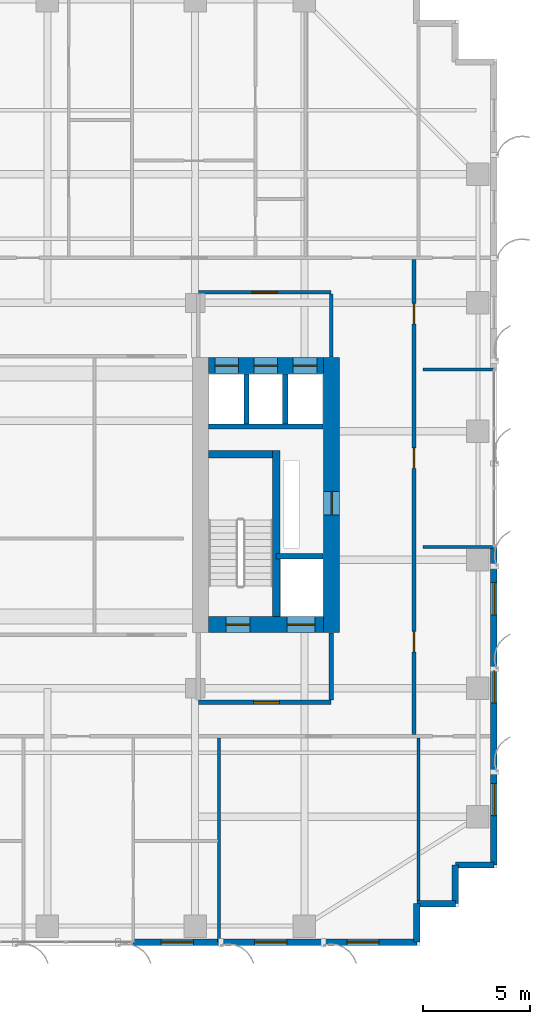
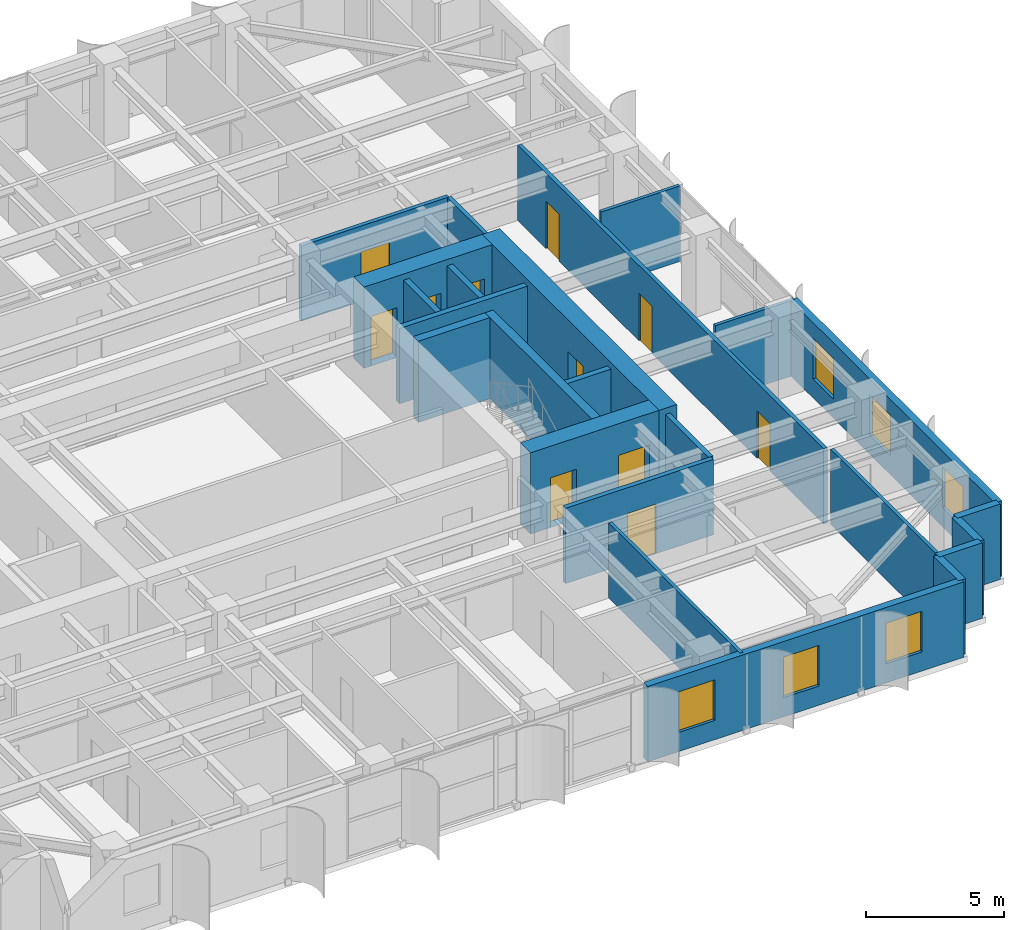
# One storey, part 14 of 19: 24 walls, 11 doors, 6 windows, 17 openings.
"""IFC4 building model written with IfcOpenShell, lengths in metres."""

from ifc_helpers import new_model, si_unit, direction, frame, frame_2d, origin, place, context, subcontext, project, spatial, rectangle, extrude, source, transform, mapped, material, layer, layer_set, type_object, element, fill, save


model = new_model("IFC4")

# Units and contexts
model_context = context("Model", 3, precision=1e-05, world=origin(), true_north=direction((0.0, 1.0)))
body_context = subcontext(model_context, "Body", "Model", "MODEL_VIEW")
ifc_project = project(units=[si_unit("LENGTHUNIT", "METRE"), si_unit("AREAUNIT", "SQUARE_METRE"), si_unit("VOLUMEUNIT", "CUBIC_METRE"), si_unit("PLANEANGLEUNIT", "RADIAN"), si_unit("MASSUNIT", "GRAM", prefix="KILO")], contexts=[model_context])

# Site, building, storey
site_placement = place(None, origin())
site = spatial("IfcSite", under=ifc_project, at=site_placement, CompositionType="ELEMENT")
building_placement = place(site_placement, origin())
building = spatial("IfcBuilding", under=site, at=building_placement, Name="Khoralis Quay Care Tower", CompositionType="ELEMENT")
storey_placement = place(building_placement, frame((0.0, 0.0, 90.89990234375)))
storey = spatial("IfcBuildingStorey", under=building, at=storey_placement, Name="L23", CompositionType="ELEMENT", Elevation=90.89990234375)

# Wall, opening, door
ifc_material_1 = material(Name="Gypsum plasterboard on acoustic metal stud")
ifc_layer_1 = layer(ifc_material_1, 0.199951171875)
ifc_layer_set_1 = layer_set([ifc_layer_1], Name="Gypsum plasterboard on acoustic metal stud")
wall_type_1 = type_object("IfcWallType", Name="WL-COMP-200", PredefinedType="PARTITIONING", material=ifc_layer_set_1)
wall_1_placement = place(storey_placement, frame((31.050048828125, 11.35009765625, 0.0), z_axis=(0.0, 0.0, 1.0), x_axis=(1.0, 0.0, 0.0)))
wall_1 = element("IfcWall", 1, at=wall_1_placement, inside=storey, type_object=wall_type_1, Name="L23 East Firefighting Lobby South Wall", PredefinedType="PARTITIONING", context=body_context, shape_type="SweptSolid", body=[
    extrude(rectangle(XDim=6.199951171875, YDim=0.199951171875, at=frame_2d((3.10009765625, 0.0))), origin(), (0.0, 0.0, 1.0), 3.340087890625),
])
opening_1_placement = place(wall_1_placement, frame((2.585693359375, 0.0, 0.0)))
opening_1 = element("IfcOpeningElement", 2, at=opening_1_placement, cuts=wall_1, Name="Opening FD1", PredefinedType="OPENING", context=body_context, shape_type="SweptSolid", body=[
    extrude(rectangle(XDim=1.199951171875, YDim=2.199951171875, at=frame_2d((0.60009765625, 1.10009765625))), frame((0.0, 0.10986328125, 0.0), z_axis=(0.0, -1.0, 0.0), x_axis=(1.0, 0.0, 0.0)), (0.0, 0.0, 1.0), 0.219970703125),
])
ifc_material_2 = material(Name="Fire-rated painted steel", Category="steel")
door_type_1 = type_object("IfcDoorType", Name="DR-FFL-1200X2200", OperationType="NOTDEFINED", PredefinedType="DOOR", material=ifc_material_2)
shared_shape_1 = source(origin(), body_context, "Body", "SweptSolid", [
    extrude(rectangle(XDim=1.199951171875, YDim=2.199951171875, at=frame_2d((0.60009765625, 1.10009765625))), frame((0.0, 0.02490234375, 0.0), z_axis=(0.0, -1.0, 0.0), x_axis=(1.0, 0.0, 0.0)), (0.0, 0.0, 1.0), 0.050048828125),
])
door_1_placement = place(opening_1_placement, origin())
door_1 = element("IfcDoor", 3, at=door_1_placement, inside=storey, type_object=door_type_1, Name="L23 East Firefighting Lobby Fire Door", OperationType="SINGLE_SWING_RIGHT", OverallHeight=2.199951171875, OverallWidth=1.199951171875, PredefinedType="DOOR", context=body_context, shape_type="MappedRepresentation", body=[
    mapped(shared_shape_1, transform((0.0, 0.0, 0.0), scale=1.0)),
])
fill(opening_1, door_1)

# Wall
wall_2_placement = place(storey_placement, frame((37.25, 11.445068359375, 0.0), z_axis=(0.0, 0.0, 1.0), x_axis=(0.0, 1.0, 0.0)))
element("IfcWall", 4, at=wall_2_placement, inside=storey, type_object=wall_type_1, Name="L23 East Firefighting Lobby East Wall", PredefinedType="PARTITIONING", context=body_context, shape_type="SweptSolid", body=[
    extrude(rectangle(XDim=3.135009765625, YDim=0.199951171875, at=frame_2d((1.5673828125, 0.0))), origin(), (0.0, 0.0, 1.0), 3.340087890625),
])

# Wall, opening, door
ifc_material_3 = material(Name="Concrete C80/95", Category="concrete")
ifc_layer_2 = layer(ifc_material_3, 0.75)
ifc_layer_set_2 = layer_set([ifc_layer_2], Name="Concrete C80/95")
wall_type_2 = type_object("IfcWallType", Name="WL-CORE-750", PredefinedType="SHEAR", material=ifc_layer_set_2)
wall_3_placement = place(storey_placement, frame((37.27490234375, 14.60009765625, 0.0), z_axis=(0.0, 0.0, 1.0), x_axis=(0.0, 1.0, 0.0)))
wall_3 = element("IfcWall", 5, at=wall_3_placement, inside=storey, type_object=wall_type_2, Name="L23 ECORE East Shear Wall", PredefinedType="SHEAR", context=body_context, shape_type="SweptSolid", body=[
    extrude(rectangle(XDim=12.849853515625, YDim=0.75, at=frame_2d((6.4248046875, 0.0))), origin(), (0.0, 0.0, 1.0), 3.60009765625),
])
opening_2_placement = place(wall_3_placement, frame((5.5, 0.0, 0.0)))
opening_2 = element("IfcOpeningElement", 6, at=opening_2_placement, cuts=wall_3, Name="Opening SD1", PredefinedType="OPENING", context=body_context, shape_type="SweptSolid", body=[
    extrude(rectangle(XDim=1.10009765625, YDim=2.199951171875, at=frame_2d((0.550048828125, 1.10009765625))), frame((0.0, 0.385009765625, 0.0), z_axis=(0.0, -1.0, 0.0), x_axis=(1.0, 0.0, 0.0)), (0.0, 0.0, 1.0), 0.77001953125),
])
door_type_2 = type_object("IfcDoorType", Name="DR-STAIR-1100X2200", OperationType="NOTDEFINED", PredefinedType="DOOR", material=ifc_material_2)
shared_shape_2 = source(origin(), body_context, "Body", "SweptSolid", [
    extrude(rectangle(XDim=1.10009765625, YDim=2.199951171875, at=frame_2d((0.550048828125, 1.10009765625))), frame((0.0, 0.02490234375, 0.0), z_axis=(0.0, -1.0, 0.0), x_axis=(1.0, 0.0, 0.0)), (0.0, 0.0, 1.0), 0.050048828125),
])
door_2_placement = place(opening_2_placement, frame((1.10009765625, 0.0, 0.0), z_axis=(0.0, 0.0, 1.0), x_axis=(-1.0, 0.0, 0.0)))
door_2 = element("IfcDoor", 7, at=door_2_placement, inside=storey, type_object=door_type_2, Name="L23 East MEP Riser Door", OperationType="SINGLE_SWING_RIGHT", OverallHeight=2.199951171875, OverallWidth=1.10009765625, PredefinedType="DOOR", context=body_context, shape_type="MappedRepresentation", body=[
    mapped(shared_shape_2, transform((0.0, 0.0, 0.0), scale=1.0)),
])
fill(opening_2, door_2)

# Wall, openings, doors
wall_4_placement = place(storey_placement, frame((31.52001953125, 14.97509765625, 0.0), z_axis=(0.0, 0.0, 1.0), x_axis=(1.0, 0.0, 0.0)))
wall_4 = element("IfcWall", 8, at=wall_4_placement, inside=storey, type_object=wall_type_2, Name="L23 ECORE South Shear Wall", PredefinedType="SHEAR", context=body_context, shape_type="SweptSolid", body=[
    extrude(rectangle(XDim=5.3798828125, YDim=0.75, at=frame_2d((2.68994140625, 0.0))), origin(), (0.0, 0.0, 1.0), 3.60009765625),
])
opening_3_placement = place(wall_4_placement, frame((0.830078125, 0.0, 0.0)))
opening_3 = element("IfcOpeningElement", 9, at=opening_3_placement, cuts=wall_4, Name="Opening SD1", PredefinedType="OPENING", context=body_context, shape_type="SweptSolid", body=[
    extrude(rectangle(XDim=1.10009765625, YDim=2.199951171875, at=frame_2d((0.550048828125, 1.10009765625))), frame((0.0, 0.385009765625, 0.0), z_axis=(0.0, -1.0, 0.0), x_axis=(1.0, 0.0, 0.0)), (0.0, 0.0, 1.0), 0.77001953125),
])
opening_4_placement = place(wall_4_placement, frame((3.679931640625, 0.0, 0.0)))
opening_4 = element("IfcOpeningElement", 10, at=opening_4_placement, cuts=wall_4, Name="Opening LD2", PredefinedType="OPENING", context=body_context, shape_type="SweptSolid", body=[
    extrude(rectangle(XDim=1.300048828125, YDim=2.199951171875, at=frame_2d((0.64990234375, 1.10009765625))), frame((0.0, 0.385009765625, 0.0), z_axis=(0.0, -1.0, 0.0), x_axis=(1.0, 0.0, 0.0)), (0.0, 0.0, 1.0), 0.77001953125),
])
door_3_placement = place(opening_3_placement, origin())
door_3 = element("IfcDoor", 11, at=door_3_placement, inside=storey, type_object=door_type_2, Name="L23 Stair ST-T2 Fire Door", OperationType="SINGLE_SWING_RIGHT", OverallHeight=2.199951171875, OverallWidth=1.10009765625, PredefinedType="DOOR", context=body_context, shape_type="MappedRepresentation", body=[
    mapped(shared_shape_2, transform((0.0, 0.0, 0.0), scale=1.0)),
])
fill(opening_3, door_3)
ifc_material_4 = material(Name="Brushed stainless steel", Category="steel")
door_type_3 = type_object("IfcDoorType", Name="DR-LIFT-1300X2200", OperationType="SLIDING_TO_RIGHT", PredefinedType="DOOR", material=ifc_material_4)
shared_shape_3 = source(origin(), body_context, "Body", "SweptSolid", [
    extrude(rectangle(XDim=1.300048828125, YDim=2.199951171875, at=frame_2d((0.64990234375, 1.10009765625))), frame((0.0, 0.02490234375, 0.0), z_axis=(0.0, -1.0, 0.0), x_axis=(1.0, 0.0, 0.0)), (0.0, 0.0, 1.0), 0.050048828125),
])
door_4_placement = place(opening_4_placement, origin())
door_4 = element("IfcDoor", 12, at=door_4_placement, inside=storey, type_object=door_type_3, Name="L23 Firefighting Lift FFL-2 Landing Door", OperationType="SLIDING_TO_RIGHT", OverallHeight=2.199951171875, OverallWidth=1.300048828125, PredefinedType="DOOR", context=body_context, shape_type="MappedRepresentation", body=[
    mapped(shared_shape_3, transform((0.0, 0.0, 0.0), scale=1.0)),
])
fill(opening_4, door_4)

wall_5_placement = place(storey_placement, frame((31.52001953125, 27.074951171875, 0.0), z_axis=(0.0, 0.0, 1.0), x_axis=(1.0, 0.0, 0.0)))
wall_5 = element("IfcWall", 13, at=wall_5_placement, inside=storey, type_object=wall_type_2, Name="L23 ECORE North Shear Wall", PredefinedType="SHEAR", context=body_context, shape_type="SweptSolid", body=[
    extrude(rectangle(XDim=5.3798828125, YDim=0.75, at=frame_2d((2.68994140625, 0.0))), origin(), (0.0, 0.0, 1.0), 3.60009765625),
])
opening_5_placement = place(wall_5_placement, frame((0.300048828125, 0.0, 0.0)))
opening_5 = element("IfcOpeningElement", 14, at=opening_5_placement, cuts=wall_5, Name="Opening LD1", PredefinedType="OPENING", context=body_context, shape_type="SweptSolid", body=[
    extrude(rectangle(XDim=1.10009765625, YDim=2.199951171875, at=frame_2d((0.550048828125, 1.10009765625))), frame((0.0, 0.385009765625, 0.0), z_axis=(0.0, -1.0, 0.0), x_axis=(1.0, 0.0, 0.0)), (0.0, 0.0, 1.0), 0.77001953125),
])
opening_6_placement = place(wall_5_placement, frame((2.1298828125, 0.0, 0.0)))
opening_6 = element("IfcOpeningElement", 15, at=opening_6_placement, cuts=wall_5, Name="Opening LD1", PredefinedType="OPENING", context=body_context, shape_type="SweptSolid", body=[
    extrude(rectangle(XDim=1.10009765625, YDim=2.199951171875, at=frame_2d((0.550048828125, 1.10009765625))), frame((0.0, 0.385009765625, 0.0), z_axis=(0.0, -1.0, 0.0), x_axis=(1.0, 0.0, 0.0)), (0.0, 0.0, 1.0), 0.77001953125),
])
opening_7_placement = place(wall_5_placement, frame((3.9599609375, 0.0, 0.0)))
opening_7 = element("IfcOpeningElement", 16, at=opening_7_placement, cuts=wall_5, Name="Opening LD1", PredefinedType="OPENING", context=body_context, shape_type="SweptSolid", body=[
    extrude(rectangle(XDim=1.10009765625, YDim=2.199951171875, at=frame_2d((0.550048828125, 1.10009765625))), frame((0.0, 0.385009765625, 0.0), z_axis=(0.0, -1.0, 0.0), x_axis=(1.0, 0.0, 0.0)), (0.0, 0.0, 1.0), 0.77001953125),
])
door_type_4 = type_object("IfcDoorType", Name="DR-LIFT-1100X2200", OperationType="SLIDING_TO_LEFT", PredefinedType="DOOR", material=ifc_material_4)
shared_shape_4 = source(origin(), body_context, "Body", "SweptSolid", [
    extrude(rectangle(XDim=1.10009765625, YDim=2.199951171875, at=frame_2d((0.550048828125, 1.10009765625))), frame((0.0, 0.02490234375, 0.0), z_axis=(0.0, -1.0, 0.0), x_axis=(1.0, 0.0, 0.0)), (0.0, 0.0, 1.0), 0.050048828125),
])
door_5_placement = place(opening_5_placement, origin())
door_5 = element("IfcDoor", 17, at=door_5_placement, inside=storey, type_object=door_type_4, Name="L23 Lift PLL2 Landing Door", OperationType="SLIDING_TO_LEFT", OverallHeight=2.199951171875, OverallWidth=1.10009765625, PredefinedType="DOOR", context=body_context, shape_type="MappedRepresentation", body=[
    mapped(shared_shape_4, transform((0.0, 0.0, 0.0), scale=1.0)),
])
fill(opening_5, door_5)
door_6_placement = place(opening_6_placement, origin())
door_6 = element("IfcDoor", 18, at=door_6_placement, inside=storey, type_object=door_type_4, Name="L23 Lift PLM2 Landing Door", OperationType="SLIDING_TO_LEFT", OverallHeight=2.199951171875, OverallWidth=1.10009765625, PredefinedType="DOOR", context=body_context, shape_type="MappedRepresentation", body=[
    mapped(shared_shape_4, transform((0.0, 0.0, 0.0), scale=1.0)),
])
fill(opening_6, door_6)
door_7_placement = place(opening_7_placement, origin())
door_7 = element("IfcDoor", 19, at=door_7_placement, inside=storey, type_object=door_type_4, Name="L23 Lift PLH2 Landing Door", OperationType="SLIDING_TO_LEFT", OverallHeight=2.199951171875, OverallWidth=1.10009765625, PredefinedType="DOOR", context=body_context, shape_type="MappedRepresentation", body=[
    mapped(shared_shape_4, transform((0.0, 0.0, 0.0), scale=1.0)),
])
fill(opening_7, door_7)

# Wall, opening, door
ifc_layer_3 = layer(ifc_material_1, 0.1650390625)
ifc_layer_set_3 = layer_set([ifc_layer_3], Name="Gypsum plasterboard on acoustic metal stud")
wall_type_3 = type_object("IfcWallType", Name="WL-CORR-165", PredefinedType="PARTITIONING", material=ifc_layer_set_3)
wall_6_placement = place(storey_placement, frame((31.050048828125, 30.5, 0.0), z_axis=(0.0, 0.0, 1.0), x_axis=(1.0, 0.0, 0.0)))
wall_6 = element("IfcWall", 20, at=wall_6_placement, inside=storey, type_object=wall_type_3, Name="L23 East Lift Lobby North Wall", PredefinedType="PARTITIONING", context=body_context, shape_type="SweptSolid", body=[
    extrude(rectangle(XDim=6.199951171875, YDim=0.1650390625, at=frame_2d((3.10009765625, 0.0))), origin(), (0.0, 0.0, 1.0), 3.340087890625),
])
opening_8_placement = place(wall_6_placement, frame((2.5, 0.0, 0.0)))
opening_8 = element("IfcOpeningElement", 21, at=opening_8_placement, cuts=wall_6, Name="Opening FD1", PredefinedType="OPENING", context=body_context, shape_type="SweptSolid", body=[
    extrude(rectangle(XDim=1.199951171875, YDim=2.199951171875, at=frame_2d((0.60009765625, 1.10009765625))), frame((0.0, 0.092529296875, 0.0), z_axis=(0.0, -1.0, 0.0), x_axis=(1.0, 0.0, 0.0)), (0.0, 0.0, 1.0), 0.18505859375),
])
door_8_placement = place(opening_8_placement, origin())
door_8 = element("IfcDoor", 22, at=door_8_placement, inside=storey, type_object=door_type_1, Name="L23 East Lift Lobby Double Door", OperationType="DOUBLE_DOOR_SINGLE_SWING", OverallHeight=2.199951171875, OverallWidth=1.199951171875, PredefinedType="DOOR", context=body_context, shape_type="MappedRepresentation", body=[
    mapped(shared_shape_1, transform((0.0, 0.0, 0.0), scale=1.0)),
])
fill(opening_8, door_8)

# Wall
wall_7_placement = place(storey_placement, frame((37.25, 27.469970703125, 0.0), z_axis=(0.0, 0.0, 1.0), x_axis=(0.0, 1.0, 0.0)))
element("IfcWall", 23, at=wall_7_placement, inside=storey, type_object=wall_type_3, Name="L23 East Lift Lobby East Wall", PredefinedType="PARTITIONING", context=body_context, shape_type="SweptSolid", body=[
    extrude(rectangle(XDim=2.95263671875, YDim=0.1650390625, at=frame_2d((1.476318359375, 0.0))), origin(), (0.0, 0.0, 1.0), 3.340087890625),
])

# Wall, openings, doors
wall_8_placement = place(storey_placement, frame((41.1201171875, 9.83740234375, 0.0), z_axis=(0.0, 0.0, 1.0), x_axis=(0.0, 1.0, 0.0)))
wall_8 = element("IfcWall", 24, at=wall_8_placement, inside=storey, type_object=wall_type_3, Name="L23 East Loop Corridor Wall", PredefinedType="PARTITIONING", context=body_context, shape_type="SweptSolid", body=[
    extrude(rectangle(XDim=22.18505859375, YDim=0.1650390625, at=frame_2d((11.092529296875, 0.0))), origin(), (0.0, 0.0, 1.0), 3.340087890625),
])
opening_9_placement = place(wall_8_placement, frame((3.867431640625, 0.0, 0.0)))
opening_9 = element("IfcOpeningElement", 25, at=opening_9_placement, cuts=wall_8, Name="Opening ID1", PredefinedType="OPENING", context=body_context, shape_type="SweptSolid", body=[
    extrude(rectangle(XDim=0.949951171875, YDim=2.10009765625, at=frame_2d((0.47509765625, 1.050048828125))), frame((0.0, 0.092529296875, 0.0), z_axis=(0.0, -1.0, 0.0), x_axis=(1.0, 0.0, 0.0)), (0.0, 0.0, 1.0), 0.18505859375),
])
opening_10_placement = place(wall_8_placement, frame((12.4375, 0.0, 0.0)))
opening_10 = element("IfcOpeningElement", 26, at=opening_10_placement, cuts=wall_8, Name="Opening ID1", PredefinedType="OPENING", context=body_context, shape_type="SweptSolid", body=[
    extrude(rectangle(XDim=0.949951171875, YDim=2.10009765625, at=frame_2d((0.47509765625, 1.050048828125))), frame((0.0, 0.092529296875, 0.0), z_axis=(0.0, -1.0, 0.0), x_axis=(1.0, 0.0, 0.0)), (0.0, 0.0, 1.0), 0.18505859375),
])
opening_11_placement = place(wall_8_placement, frame((19.1875, 0.0, 0.0)))
opening_11 = element("IfcOpeningElement", 27, at=opening_11_placement, cuts=wall_8, Name="Opening ID1", PredefinedType="OPENING", context=body_context, shape_type="SweptSolid", body=[
    extrude(rectangle(XDim=0.949951171875, YDim=2.10009765625, at=frame_2d((0.47509765625, 1.050048828125))), frame((0.0, 0.092529296875, 0.0), z_axis=(0.0, -1.0, 0.0), x_axis=(1.0, 0.0, 0.0)), (0.0, 0.0, 1.0), 0.18505859375),
])
ifc_material_5 = material(Name="Acoustic hardwood timber", Category="wood")
door_type_5 = type_object("IfcDoorType", Name="DR-ROOM-950X2100", OperationType="NOTDEFINED", PredefinedType="DOOR", material=ifc_material_5)
shared_shape_5 = source(origin(), body_context, "Body", "SweptSolid", [
    extrude(rectangle(XDim=0.949951171875, YDim=2.10009765625, at=frame_2d((0.47509765625, 1.050048828125))), frame((0.0, 0.02490234375, 0.0), z_axis=(0.0, -1.0, 0.0), x_axis=(1.0, 0.0, 0.0)), (0.0, 0.0, 1.0), 0.050048828125),
])
door_9_placement = place(opening_9_placement, frame((0.949951171875, 0.0, 0.0), z_axis=(0.0, 0.0, 1.0), x_axis=(-1.0, 0.0, 0.0)))
door_9 = element("IfcDoor", 28, at=door_9_placement, inside=storey, type_object=door_type_5, Name="L23 Therapy Consultation Room Door", OperationType="SINGLE_SWING_LEFT", OverallHeight=2.10009765625, OverallWidth=0.949951171875, PredefinedType="DOOR", context=body_context, shape_type="MappedRepresentation", body=[
    mapped(shared_shape_5, transform((0.0, 0.0, 0.0), scale=1.0)),
])
fill(opening_9, door_9)
door_10_placement = place(opening_10_placement, frame((0.949951171875, 0.0, 0.0), z_axis=(0.0, 0.0, 1.0), x_axis=(-1.0, 0.0, 0.0)))
door_10 = element("IfcDoor", 29, at=door_10_placement, inside=storey, type_object=door_type_5, Name="L23 Assisted Activity Lounge Door", OperationType="SINGLE_SWING_RIGHT", OverallHeight=2.10009765625, OverallWidth=0.949951171875, PredefinedType="DOOR", context=body_context, shape_type="MappedRepresentation", body=[
    mapped(shared_shape_5, transform((0.0, 0.0, 0.0), scale=1.0)),
])
fill(opening_10, door_10)
door_11_placement = place(opening_11_placement, frame((0.949951171875, 0.0, 0.0), z_axis=(0.0, 0.0, 1.0), x_axis=(-1.0, 0.0, 0.0)))
door_11 = element("IfcDoor", 30, at=door_11_placement, inside=storey, type_object=door_type_5, Name="L23 Nurse Charting Office Door", OperationType="SINGLE_SWING_LEFT", OverallHeight=2.10009765625, OverallWidth=0.949951171875, PredefinedType="DOOR", context=body_context, shape_type="MappedRepresentation", body=[
    mapped(shared_shape_5, transform((0.0, 0.0, 0.0), scale=1.0)),
])
fill(opening_11, door_11)

# Wall, openings, windows
ifc_material_6 = material(Name="Precast concrete C45/55", Category="concrete")
ifc_layer_4 = layer(ifc_material_6, 0.300048828125)
ifc_layer_set_4 = layer_set([ifc_layer_4], Name="Precast concrete C45/55")
wall_type_4 = type_object("IfcWallType", Name="WL-EXT-REF-300", PredefinedType="SOLIDWALL", material=ifc_layer_set_4)
wall_9_placement = place(storey_placement, frame((28.0029296875, 0.14990234375, 0.0), z_axis=(0.0, 0.0, 1.0), x_axis=(1.0, 0.0, 0.0)))
wall_9 = element("IfcWall", 31, at=wall_9_placement, inside=storey, type_object=wall_type_4, Name="L23 External Facade Wall WL-EXT-L23-P1-E0B", PredefinedType="SOLIDWALL", context=body_context, shape_type="SweptSolid", body=[
    extrude(rectangle(XDim=13.2470703125, YDim=0.300048828125, at=frame_2d((6.62353515625, 0.0))), origin(), (0.0, 0.0, 1.0), 3.340087890625),
])
opening_12_placement = place(wall_9_placement, frame((1.30859375, 0.0, 0.85009765625)))
opening_12 = element("IfcOpeningElement", 32, at=opening_12_placement, cuts=wall_9, Name="Opening W3", PredefinedType="OPENING", context=body_context, shape_type="SweptSolid", body=[
    extrude(rectangle(XDim=1.5, YDim=1.800048828125, at=frame_2d((0.75, 0.89990234375))), frame((0.0, 0.16015625, 0.0), z_axis=(0.0, -1.0, 0.0), x_axis=(1.0, 0.0, 0.0)), (0.0, 0.0, 1.0), 0.320068359375),
])
opening_13_placement = place(wall_9_placement, frame((5.679443359375, 0.0, 0.85009765625)))
opening_13 = element("IfcOpeningElement", 33, at=opening_13_placement, cuts=wall_9, Name="Opening W3", PredefinedType="OPENING", context=body_context, shape_type="SweptSolid", body=[
    extrude(rectangle(XDim=1.5, YDim=1.800048828125, at=frame_2d((0.75, 0.89990234375))), frame((0.0, 0.16015625, 0.0), z_axis=(0.0, -1.0, 0.0), x_axis=(1.0, 0.0, 0.0)), (0.0, 0.0, 1.0), 0.320068359375),
])
opening_14_placement = place(wall_9_placement, frame((9.984619140625, 0.0, 0.85009765625)))
opening_14 = element("IfcOpeningElement", 34, at=opening_14_placement, cuts=wall_9, Name="Opening W3", PredefinedType="OPENING", context=body_context, shape_type="SweptSolid", body=[
    extrude(rectangle(XDim=1.5, YDim=1.800048828125, at=frame_2d((0.75, 0.89990234375))), frame((0.0, 0.16015625, 0.0), z_axis=(0.0, -1.0, 0.0), x_axis=(1.0, 0.0, 0.0)), (0.0, 0.0, 1.0), 0.320068359375),
])
ifc_material_7 = material(Name="Low-E solar-control double glazing", Category="glass")
window_type = type_object("IfcWindowType", Name="WN-CLIN-1500X1800", PartitioningType="SINGLE_PANEL", PredefinedType="WINDOW", material=ifc_material_7)
shared_shape_6 = source(origin(), body_context, "Body", "SweptSolid", [
    extrude(rectangle(XDim=1.5, YDim=1.800048828125, at=frame_2d((0.75, 0.89990234375))), frame((0.0, 0.030029296875, 0.0), z_axis=(0.0, -1.0, 0.0), x_axis=(1.0, 0.0, 0.0)), (0.0, 0.0, 1.0), 0.06005859375),
])
window_1_placement = place(opening_12_placement, origin())
window_1 = element("IfcWindow", 35, at=window_1_placement, inside=storey, type_object=window_type, Name="WN-L23-P1-E0B Facade Window 01", OverallHeight=1.800048828125, OverallWidth=1.5, PartitioningType="SINGLE_PANEL", PredefinedType="WINDOW", context=body_context, shape_type="MappedRepresentation", body=[
    mapped(shared_shape_6, transform((0.0, 0.0, 0.0), scale=1.0)),
])
fill(opening_12, window_1)
window_2_placement = place(opening_13_placement, origin())
window_2 = element("IfcWindow", 36, at=window_2_placement, inside=storey, type_object=window_type, Name="WN-L23-P1-E0B Facade Window 02", OverallHeight=1.800048828125, OverallWidth=1.5, PartitioningType="SINGLE_PANEL", PredefinedType="WINDOW", context=body_context, shape_type="MappedRepresentation", body=[
    mapped(shared_shape_6, transform((0.0, 0.0, 0.0), scale=1.0)),
])
fill(opening_13, window_2)
window_3_placement = place(opening_14_placement, origin())
window_3 = element("IfcWindow", 37, at=window_3_placement, inside=storey, type_object=window_type, Name="WN-L23-P1-E0B Facade Window 03", OverallHeight=1.800048828125, OverallWidth=1.5, PartitioningType="SINGLE_PANEL", PredefinedType="WINDOW", context=body_context, shape_type="MappedRepresentation", body=[
    mapped(shared_shape_6, transform((0.0, 0.0, 0.0), scale=1.0)),
])
fill(opening_14, window_3)

# Walls
for number, where, z_axis, x_axis, name in (
    (38, (41.25, 0.14990234375, 0.0), (0.0, 0.0, 1.0), (0.0, 1.0, 0.0), "L23 External Facade Wall WL-EXT-L23-P1-C1"),
    (39, (41.25, 1.949951171875, 0.0), (0.0, 0.0, 1.0), (1.0, 0.0, 0.0), "L23 External Facade Wall WL-EXT-L23-P1-C2"),
    (40, (43.050048828125, 1.949951171875, 0.0), (0.0, 0.0, 1.0), (0.0, 1.0, 0.0), "L23 External Facade Wall WL-EXT-L23-P1-C3"),
    (41, (43.050048828125, 3.75, 0.0), (0.0, 0.0, 1.0), (1.0, 0.0, 0.0), "L23 External Facade Wall WL-EXT-L23-P1-C4"),
):
    element("IfcWall", number, at=place(storey_placement, frame(where, z_axis=z_axis, x_axis=x_axis)), inside=storey, type_object=wall_type_4, Name=name, PredefinedType="SOLIDWALL", context=body_context, shape_type="SweptSolid", body=[
        extrude(rectangle(XDim=1.800048828125, YDim=0.300048828125, at=frame_2d((0.89990234375, 0.0))), origin(), (0.0, 0.0, 1.0), 3.340087890625),
    ])

# Wall, openings, windows
wall_10_placement = place(storey_placement, frame((44.85009765625, 3.75, 0.0), z_axis=(0.0, 0.0, 1.0), x_axis=(0.0, 1.0, 0.0)))
wall_10 = element("IfcWall", 42, at=wall_10_placement, inside=storey, type_object=wall_type_4, Name="L23 External Facade Wall WL-EXT-L23-P1-E5A", PredefinedType="SOLIDWALL", context=body_context, shape_type="SweptSolid", body=[
    extrude(rectangle(XDim=14.85009765625, YDim=0.300048828125, at=frame_2d((7.425048828125, 0.0))), origin(), (0.0, 0.0, 1.0), 3.340087890625),
])
opening_15_placement = place(wall_10_placement, frame((2.304931640625, 0.0, 0.85009765625)))
opening_15 = element("IfcOpeningElement", 43, at=opening_15_placement, cuts=wall_10, Name="Opening W3", PredefinedType="OPENING", context=body_context, shape_type="SweptSolid", body=[
    extrude(rectangle(XDim=1.5, YDim=1.800048828125, at=frame_2d((0.75, 0.89990234375))), frame((0.0, 0.16015625, 0.0), z_axis=(0.0, -1.0, 0.0), x_axis=(1.0, 0.0, 0.0)), (0.0, 0.0, 1.0), 0.320068359375),
])
opening_16_placement = place(wall_10_placement, frame((7.574951171875, 0.0, 0.85009765625)))
opening_16 = element("IfcOpeningElement", 44, at=opening_16_placement, cuts=wall_10, Name="Opening W3", PredefinedType="OPENING", context=body_context, shape_type="SweptSolid", body=[
    extrude(rectangle(XDim=1.5, YDim=1.800048828125, at=frame_2d((0.75, 0.89990234375))), frame((0.0, 0.16015625, 0.0), z_axis=(0.0, -1.0, 0.0), x_axis=(1.0, 0.0, 0.0)), (0.0, 0.0, 1.0), 0.320068359375),
])
opening_17_placement = place(wall_10_placement, frame((11.68505859375, 0.0, 0.85009765625)))
opening_17 = element("IfcOpeningElement", 45, at=opening_17_placement, cuts=wall_10, Name="Opening W3", PredefinedType="OPENING", context=body_context, shape_type="SweptSolid", body=[
    extrude(rectangle(XDim=1.5, YDim=1.800048828125, at=frame_2d((0.75, 0.89990234375))), frame((0.0, 0.16015625, 0.0), z_axis=(0.0, -1.0, 0.0), x_axis=(1.0, 0.0, 0.0)), (0.0, 0.0, 1.0), 0.320068359375),
])
window_4_placement = place(opening_15_placement, origin())
window_4 = element("IfcWindow", 46, at=window_4_placement, inside=storey, type_object=window_type, Name="WN-L23-P1-E5A Facade Window 01", OverallHeight=1.800048828125, OverallWidth=1.5, PartitioningType="SINGLE_PANEL", PredefinedType="WINDOW", context=body_context, shape_type="MappedRepresentation", body=[
    mapped(shared_shape_6, transform((0.0, 0.0, 0.0), scale=1.0)),
])
fill(opening_15, window_4)
window_5_placement = place(opening_16_placement, origin())
window_5 = element("IfcWindow", 47, at=window_5_placement, inside=storey, type_object=window_type, Name="WN-L23-P1-E5A Facade Window 02", OverallHeight=1.800048828125, OverallWidth=1.5, PartitioningType="SINGLE_PANEL", PredefinedType="WINDOW", context=body_context, shape_type="MappedRepresentation", body=[
    mapped(shared_shape_6, transform((0.0, 0.0, 0.0), scale=1.0)),
])
fill(opening_16, window_5)
window_6_placement = place(opening_17_placement, origin())
window_6 = element("IfcWindow", 48, at=window_6_placement, inside=storey, type_object=window_type, Name="WN-L23-P1-E5A Facade Window 03", OverallHeight=1.800048828125, OverallWidth=1.5, PartitioningType="SINGLE_PANEL", PredefinedType="WINDOW", context=body_context, shape_type="MappedRepresentation", body=[
    mapped(shared_shape_6, transform((0.0, 0.0, 0.0), scale=1.0)),
])
fill(opening_17, window_6)

# Walls
ifc_material_8 = material(Name="Concrete C40/50", Category="concrete")
ifc_layer_5 = layer(ifc_material_8, 0.35009765625)
ifc_layer_set_5 = layer_set([ifc_layer_5], Name="Concrete C40/50")
wall_type_5 = type_object("IfcWallType", Name="WL-SC-CORE-350", PredefinedType="SHEAR", material=ifc_layer_set_5)
wall_11_placement = place(storey_placement, frame((34.695068359375, 15.35009765625, 0.0), z_axis=(0.0, 0.0, 1.0), x_axis=(0.0, 1.0, 0.0)))
element("IfcWall", 49, at=wall_11_placement, inside=storey, type_object=wall_type_5, Name="L23 Stair ST-T2 Shear Baffle Wall East", PredefinedType="SHEAR", context=body_context, shape_type="SweptSolid", body=[
    extrude(rectangle(XDim=7.75, YDim=0.35009765625, at=frame_2d((3.875, 0.0))), origin(), (0.0, 0.0, 1.0), 3.60009765625),
])
wall_12_placement = place(storey_placement, frame((31.52001953125, 22.925048828125, 0.0), z_axis=(0.0, 0.0, 1.0), x_axis=(1.0, 0.0, 0.0)))
element("IfcWall", 50, at=wall_12_placement, inside=storey, type_object=wall_type_5, Name="L23 Stair ST-T2 Shear Baffle Wall North", PredefinedType="SHEAR", context=body_context, shape_type="SweptSolid", body=[
    extrude(rectangle(XDim=3.0, YDim=0.35009765625, at=frame_2d((1.5, 0.0))), origin(), (0.0, 0.0, 1.0), 3.60009765625),
])
ifc_layer_6 = layer(ifc_material_1, 0.239990234375)
ifc_layer_set_6 = layer_set([ifc_layer_6], Name="Gypsum plasterboard on acoustic metal stud")
wall_type_6 = type_object("IfcWallType", Name="WL-SHAFT-240", PredefinedType="PARTITIONING", material=ifc_layer_set_6)
wall_13_placement = place(storey_placement, frame((34.679931640625, 18.169921875, 0.0), z_axis=(0.0, 0.0, 1.0), x_axis=(1.0, 0.0, 0.0)))
element("IfcWall", 51, at=wall_13_placement, inside=storey, type_object=wall_type_6, Name="L23 FFL-2 Shaft Wall North", PredefinedType="PARTITIONING", context=body_context, shape_type="SweptSolid", body=[
    extrude(rectangle(XDim=2.199951171875, YDim=0.239990234375, at=frame_2d((1.10009765625, 0.0))), origin(), (0.0, 0.0, 1.0), 3.340087890625),
])
wall_14_placement = place(storey_placement, frame((31.52001953125, 24.22998046875, 0.0), z_axis=(0.0, 0.0, 1.0), x_axis=(1.0, 0.0, 0.0)))
element("IfcWall", 52, at=wall_14_placement, inside=storey, type_object=wall_type_6, Name="L23 East Passenger Shaft South Wall", PredefinedType="PARTITIONING", context=body_context, shape_type="SweptSolid", body=[
    extrude(rectangle(XDim=5.35986328125, YDim=0.239990234375, at=frame_2d((2.679931640625, 0.0))), origin(), (0.0, 0.0, 1.0), 3.340087890625),
])
for number, where, z_axis, x_axis, name in (
    (53, (33.2900390625, 24.344970703125, 0.0), (0.0, 0.0, 1.0), (0.0, 1.0, 0.0), "L23 East Shaft Divider 1"),
    (54, (35.110107421875, 24.344970703125, 0.0), (0.0, 0.0, 1.0), (0.0, 1.0, 0.0), "L23 East Shaft Divider 2"),
):
    element("IfcWall", number, at=place(storey_placement, frame(where, z_axis=z_axis, x_axis=x_axis)), inside=storey, type_object=wall_type_6, Name=name, PredefinedType="PARTITIONING", context=body_context, shape_type="SweptSolid", body=[
        extrude(rectangle(XDim=2.3349609375, YDim=0.239990234375, at=frame_2d((1.16748046875, 0.0))), origin(), (0.0, 0.0, 1.0), 3.340087890625),
    ])
ifc_layer_7 = layer(ifc_material_1, 0.139892578125)
ifc_layer_set_7 = layer_set([ifc_layer_7], Name="Gypsum plasterboard on acoustic metal stud")
wall_type_7 = type_object("IfcWallType", Name="WL-UNIT-140", PredefinedType="PARTITIONING", material=ifc_layer_set_7)
for number, where, z_axis, x_axis, name in (
    (55, (41.5400390625, 18.60009765625, 0.0), (0.0, 0.0, 1.0), (1.0, 0.0, 0.0), "L23 EE Divider 1"),
    (56, (41.5400390625, 26.89990234375, 0.0), (0.0, 0.0, 1.0), (1.0, 0.0, 0.0), "L23 EE Divider 2"),
):
    element("IfcWall", number, at=place(storey_placement, frame(where, z_axis=z_axis, x_axis=x_axis)), inside=storey, type_object=wall_type_7, Name=name, PredefinedType="PARTITIONING", context=body_context, shape_type="SweptSolid", body=[
        extrude(rectangle(XDim=3.31494140625, YDim=0.139892578125, at=frame_2d((1.657470703125, 0.0))), origin(), (0.0, 0.0, 1.0), 3.340087890625),
    ])
wall_15_placement = place(storey_placement, frame((32.02001953125, 0.14501953125, 0.0), z_axis=(0.0, 0.0, 1.0), x_axis=(0.0, 1.0, 0.0)))
element("IfcWall", 57, at=wall_15_placement, inside=storey, type_object=wall_type_7, Name="L23 SB Demising Wall 3", PredefinedType="PARTITIONING", context=body_context, shape_type="SweptSolid", body=[
    extrude(rectangle(XDim=9.53759765625, YDim=0.139892578125, at=frame_2d((4.768798828125, 0.0))), origin(), (0.0, 0.0, 1.0), 3.340087890625),
])
wall_16_placement = place(storey_placement, frame((41.320068359375, 1.945068359375, 0.0), z_axis=(0.0, 0.0, 1.0), x_axis=(0.0, 1.0, 0.0)))
element("IfcWall", 58, at=wall_16_placement, inside=storey, type_object=wall_type_7, Name="L23 SB Demising Wall 4", PredefinedType="PARTITIONING", context=body_context, shape_type="SweptSolid", body=[
    extrude(rectangle(XDim=7.737548828125, YDim=0.139892578125, at=frame_2d((3.86865234375, 0.0))), origin(), (0.0, 0.0, 1.0), 3.340087890625),
])

save(model, "model.ifc")
